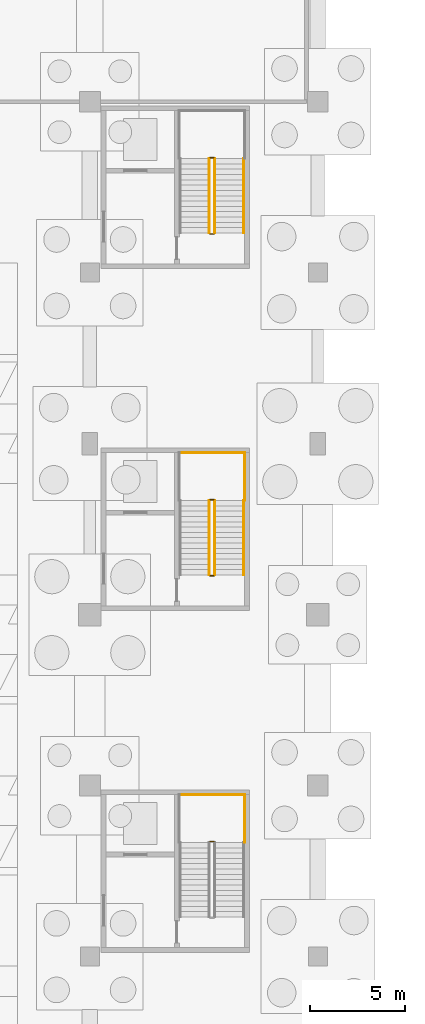
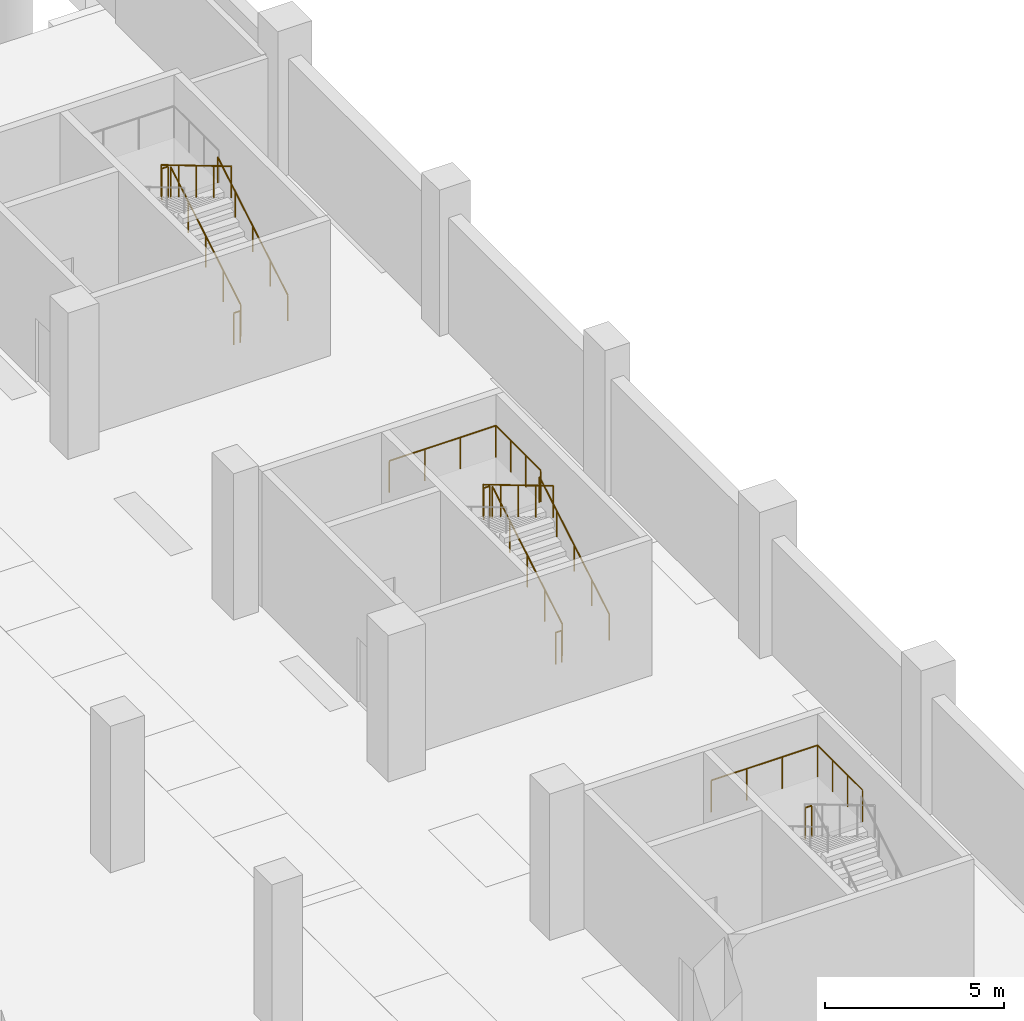
# One storey, part 35 of 37: 15 railings.
"""IFC4 building model written with IfcOpenShell, lengths in metres."""

from ifc_helpers import new_model, si_unit, direction, frame, origin, origin_2d, place, context, subcontext, project, spatial, circle, extrude, material, type_object, element, save


model = new_model("IFC4")

# Units and contexts
model_context = context("Model", 3, precision=1e-05, world=origin(), true_north=direction((0.0, 1.0)))
body_context = subcontext(model_context, "Body", "Model", "MODEL_VIEW")
ifc_project = project(units=[si_unit("LENGTHUNIT", "METRE"), si_unit("AREAUNIT", "SQUARE_METRE"), si_unit("VOLUMEUNIT", "CUBIC_METRE"), si_unit("PLANEANGLEUNIT", "RADIAN"), si_unit("MASSUNIT", "GRAM", prefix="KILO")], contexts=[model_context])

# Site, building, storey
site_placement = place(None, origin())
site = spatial("IfcSite", under=ifc_project, at=site_placement, CompositionType="ELEMENT")
building_placement = place(site_placement, origin())
building = spatial("IfcBuilding", under=site, at=building_placement, Name="Barlavento Convention Centre", CompositionType="ELEMENT")
storey_placement = place(building_placement, frame((0.0, 0.0, -5.0)))
storey = spatial("IfcBuildingStorey", under=building, at=storey_placement, Name="B1", CompositionType="ELEMENT", Elevation=-5.0)

# Railings
ifc_material_1 = material(Name="Stainless steel and laminated glass balustrade", Category="steel")
railing_type_1 = type_object("IfcRailingType", Name="ARC-RAL-BAL-1100", PredefinedType="BALUSTRADE", material=ifc_material_1)
railing_1_placement = place(storey_placement, frame((186.530029296875, 60.06005859375, 2.5)))
element("IfcRailing", 1, at=railing_1_placement, inside=storey, type_object=railing_type_1, Name="B1 ST05 stair guard 2", PredefinedType="BALUSTRADE", context=body_context, shape_type="SweptSolid", body=[
    extrude(circle(Radius=0.02392578125, at=origin_2d()), frame((0.0, 0.0, 1.076171875), z_axis=(-1.0, 0.0, 0.0), x_axis=(0.0, -1.0, 0.0)), (0.0, 0.0, 1.0), 0.199951171875),
    extrude(circle(Radius=0.02099609375, at=origin_2d()), origin(), (0.0, 0.0, 1.0), 1.052001953125),
    extrude(circle(Radius=0.02099609375, at=origin_2d()), frame((-0.199951171875, 0.0, 0.0)), (0.0, 0.0, 1.0), 1.052001953125),
])
railing_2_placement = place(storey_placement, frame((188.14990234375, 60.010009765625, 2.5)))
element("IfcRailing", 2, at=railing_2_placement, inside=storey, type_object=railing_type_1, Name="B1 landing guard GR01", PredefinedType="BALUSTRADE", context=body_context, shape_type="SweptSolid", body=[
    extrude(circle(Radius=0.02392578125, at=origin_2d()), frame((0.0, 0.0, 1.076171875), z_axis=(0.0, 1.0, 0.0), x_axis=(-1.0, 0.0, 0.0)), (0.0, 0.0, 1.0), 2.52001953125),
    extrude(circle(Radius=0.02099609375, at=origin_2d()), origin(), (0.0, 0.0, 1.0), 1.052001953125),
    extrude(circle(Radius=0.02099609375, at=origin_2d()), frame((0.0, 0.840087890625, 0.0)), (0.0, 0.0, 1.0), 1.052001953125),
    extrude(circle(Radius=0.02099609375, at=origin_2d()), frame((0.0, 1.679931640625, 0.0)), (0.0, 0.0, 1.0), 1.052001953125),
    extrude(circle(Radius=0.02099609375, at=origin_2d()), frame((0.0, 2.52001953125, 0.0)), (0.0, 0.0, 1.0), 1.052001953125),
])
railing_3_placement = place(storey_placement, frame((188.14990234375, 62.530029296875, 2.5)))
element("IfcRailing", 3, at=railing_3_placement, inside=storey, type_object=railing_type_1, Name="B1 landing guard GR01", PredefinedType="BALUSTRADE", context=body_context, shape_type="SweptSolid", body=[
    extrude(circle(Radius=0.02392578125, at=origin_2d()), frame((0.0, 0.0, 1.076171875), z_axis=(-1.0, 0.0, 0.0), x_axis=(0.0, -1.0, 0.0)), (0.0, 0.0, 1.0), 3.43994140625),
    extrude(circle(Radius=0.02099609375, at=origin_2d()), origin(), (0.0, 0.0, 1.0), 1.052001953125),
    extrude(circle(Radius=0.02099609375, at=origin_2d()), frame((-1.146728515625, 0.0, 0.0)), (0.0, 0.0, 1.0), 1.052001953125),
    extrude(circle(Radius=0.02099609375, at=origin_2d()), frame((-2.293212890625, 0.0, 0.0)), (0.0, 0.0, 1.0), 1.052001953125),
    extrude(circle(Radius=0.02099609375, at=origin_2d()), frame((-3.43994140625, 0.0, 0.0)), (0.0, 0.0, 1.0), 1.052001953125),
])
railing_4_placement = place(storey_placement, frame((186.580078125, 74.090087890625, 0.166748046875)))
element("IfcRailing", 4, at=railing_4_placement, inside=storey, type_object=railing_type_1, Name="B1 ST07 stair guard 1", PredefinedType="BALUSTRADE", context=body_context, shape_type="SweptSolid", body=[
    extrude(circle(Radius=0.02392578125, at=origin_2d()), frame((0.0, 0.0, 1.076171875), z_axis=(0.0, 0.859296244711, 0.511478214419), x_axis=(-1.0, 0.0, 0.0)), (0.0, 0.0, 1.0), 4.561767578125),
    extrude(circle(Radius=0.02099609375, at=origin_2d()), origin(), (0.0, 0.0, 1.0), 1.052001953125),
    extrude(circle(Radius=0.02099609375, at=origin_2d()), frame((0.0, 0.97998046875, 0.583251953125)), (0.0, 0.0, 1.0), 1.052001953125),
    extrude(circle(Radius=0.02099609375, at=origin_2d()), frame((0.0, 1.9599609375, 1.16650390625)), (0.0, 0.0, 1.0), 1.052001953125),
    extrude(circle(Radius=0.02099609375, at=origin_2d()), frame((0.0, 2.93994140625, 1.75)), (0.0, 0.0, 1.0), 1.052001953125),
    extrude(circle(Radius=0.02099609375, at=origin_2d()), frame((0.0, 3.919921875, 2.333251953125)), (0.0, 0.0, 1.0), 1.052001953125),
])
railing_5_placement = place(storey_placement, frame((186.530029296875, 78.06005859375, 2.5)))
element("IfcRailing", 5, at=railing_5_placement, inside=storey, type_object=railing_type_1, Name="B1 ST07 stair guard 2", PredefinedType="BALUSTRADE", context=body_context, shape_type="SweptSolid", body=[
    extrude(circle(Radius=0.02392578125, at=origin_2d()), frame((0.0, 0.0, 1.076171875), z_axis=(-1.0, 0.0, 0.0), x_axis=(0.0, -1.0, 0.0)), (0.0, 0.0, 1.0), 0.199951171875),
    extrude(circle(Radius=0.02099609375, at=origin_2d()), origin(), (0.0, 0.0, 1.0), 1.052001953125),
    extrude(circle(Radius=0.02099609375, at=origin_2d()), frame((-0.199951171875, 0.0, 0.0)), (0.0, 0.0, 1.0), 1.052001953125),
])
railing_6_placement = place(storey_placement, frame((186.280029296875, 78.010009765625, 2.666748046875)))
element("IfcRailing", 6, at=railing_6_placement, inside=storey, type_object=railing_type_1, Name="B1 ST07 stair guard 3", PredefinedType="BALUSTRADE", context=body_context, shape_type="SweptSolid", body=[
    extrude(circle(Radius=0.02392578125, at=origin_2d()), frame((0.0, 0.0, 1.076171875), z_axis=(0.0, -0.859296244711, 0.511478214419), x_axis=(1.0, 0.0, 0.0)), (0.0, 0.0, 1.0), 4.561767578125),
    extrude(circle(Radius=0.02099609375, at=origin_2d()), origin(), (0.0, 0.0, 1.0), 1.052001953125),
    extrude(circle(Radius=0.02099609375, at=origin_2d()), frame((0.0, -0.97998046875, 0.583251953125)), (0.0, 0.0, 1.0), 1.052001953125),
    extrude(circle(Radius=0.02099609375, at=origin_2d()), frame((0.0, -1.9599609375, 1.16650390625)), (0.0, 0.0, 1.0), 1.052001953125),
    extrude(circle(Radius=0.02099609375, at=origin_2d()), frame((0.0, -2.93994140625, 1.75)), (0.0, 0.0, 1.0), 1.052001953125),
    extrude(circle(Radius=0.02099609375, at=origin_2d()), frame((0.0, -3.919921875, 2.333251953125)), (0.0, 0.0, 1.0), 1.052001953125),
])
railing_7_placement = place(storey_placement, frame((186.530029296875, 74.0400390625, 0.0)))
element("IfcRailing", 7, at=railing_7_placement, inside=storey, type_object=railing_type_1, Name="B1 ST07 stair guard 4", PredefinedType="BALUSTRADE", context=body_context, shape_type="SweptSolid", body=[
    extrude(circle(Radius=0.02392578125, at=origin_2d()), frame((0.0, 0.0, 1.076171875), z_axis=(-1.0, 0.0, 0.0), x_axis=(0.0, -1.0, 0.0)), (0.0, 0.0, 1.0), 0.199951171875),
    extrude(circle(Radius=0.02099609375, at=origin_2d()), origin(), (0.0, 0.0, 1.0), 1.052001953125),
    extrude(circle(Radius=0.02099609375, at=origin_2d()), frame((-0.199951171875, 0.0, 0.0)), (0.0, 0.0, 1.0), 1.052001953125),
])
railing_8_placement = place(storey_placement, frame((188.14990234375, 78.010009765625, 2.5)))
element("IfcRailing", 8, at=railing_8_placement, inside=storey, type_object=railing_type_1, Name="B1 landing guard GR01", PredefinedType="BALUSTRADE", context=body_context, shape_type="SweptSolid", body=[
    extrude(circle(Radius=0.02392578125, at=origin_2d()), frame((0.0, 0.0, 1.076171875), z_axis=(0.0, 1.0, 0.0), x_axis=(-1.0, 0.0, 0.0)), (0.0, 0.0, 1.0), 2.52001953125),
    extrude(circle(Radius=0.02099609375, at=origin_2d()), origin(), (0.0, 0.0, 1.0), 1.052001953125),
    extrude(circle(Radius=0.02099609375, at=origin_2d()), frame((0.0, 0.840087890625, 0.0)), (0.0, 0.0, 1.0), 1.052001953125),
    extrude(circle(Radius=0.02099609375, at=origin_2d()), frame((0.0, 1.679931640625, 0.0)), (0.0, 0.0, 1.0), 1.052001953125),
    extrude(circle(Radius=0.02099609375, at=origin_2d()), frame((0.0, 2.52001953125, 0.0)), (0.0, 0.0, 1.0), 1.052001953125),
])
railing_9_placement = place(storey_placement, frame((188.14990234375, 80.530029296875, 2.5)))
element("IfcRailing", 9, at=railing_9_placement, inside=storey, type_object=railing_type_1, Name="B1 landing guard GR01", PredefinedType="BALUSTRADE", context=body_context, shape_type="SweptSolid", body=[
    extrude(circle(Radius=0.02392578125, at=origin_2d()), frame((0.0, 0.0, 1.076171875), z_axis=(-1.0, 0.0, 0.0), x_axis=(0.0, -1.0, 0.0)), (0.0, 0.0, 1.0), 3.43994140625),
    extrude(circle(Radius=0.02099609375, at=origin_2d()), origin(), (0.0, 0.0, 1.0), 1.052001953125),
    extrude(circle(Radius=0.02099609375, at=origin_2d()), frame((-1.146728515625, 0.0, 0.0)), (0.0, 0.0, 1.0), 1.052001953125),
    extrude(circle(Radius=0.02099609375, at=origin_2d()), frame((-2.293212890625, 0.0, 0.0)), (0.0, 0.0, 1.0), 1.052001953125),
    extrude(circle(Radius=0.02099609375, at=origin_2d()), frame((-3.43994140625, 0.0, 0.0)), (0.0, 0.0, 1.0), 1.052001953125),
])
railing_10_placement = place(storey_placement, frame((186.580078125, 92.090087890625, 0.166748046875)))
element("IfcRailing", 10, at=railing_10_placement, inside=storey, type_object=railing_type_1, Name="B1 ST08 stair guard 1", PredefinedType="BALUSTRADE", context=body_context, shape_type="SweptSolid", body=[
    extrude(circle(Radius=0.02392578125, at=origin_2d()), frame((0.0, 0.0, 1.076171875), z_axis=(0.0, 0.859296244711, 0.511478214419), x_axis=(-1.0, 0.0, 0.0)), (0.0, 0.0, 1.0), 4.561767578125),
    extrude(circle(Radius=0.02099609375, at=origin_2d()), origin(), (0.0, 0.0, 1.0), 1.052001953125),
    extrude(circle(Radius=0.02099609375, at=origin_2d()), frame((0.0, 0.97998046875, 0.583251953125)), (0.0, 0.0, 1.0), 1.052001953125),
    extrude(circle(Radius=0.02099609375, at=origin_2d()), frame((0.0, 1.9599609375, 1.16650390625)), (0.0, 0.0, 1.0), 1.052001953125),
    extrude(circle(Radius=0.02099609375, at=origin_2d()), frame((0.0, 2.93994140625, 1.75)), (0.0, 0.0, 1.0), 1.052001953125),
    extrude(circle(Radius=0.02099609375, at=origin_2d()), frame((0.0, 3.919921875, 2.333251953125)), (0.0, 0.0, 1.0), 1.052001953125),
])
railing_11_placement = place(storey_placement, frame((186.530029296875, 96.06005859375, 2.5)))
element("IfcRailing", 11, at=railing_11_placement, inside=storey, type_object=railing_type_1, Name="B1 ST08 stair guard 2", PredefinedType="BALUSTRADE", context=body_context, shape_type="SweptSolid", body=[
    extrude(circle(Radius=0.02392578125, at=origin_2d()), frame((0.0, 0.0, 1.076171875), z_axis=(-1.0, 0.0, 0.0), x_axis=(0.0, -1.0, 0.0)), (0.0, 0.0, 1.0), 0.199951171875),
    extrude(circle(Radius=0.02099609375, at=origin_2d()), origin(), (0.0, 0.0, 1.0), 1.052001953125),
    extrude(circle(Radius=0.02099609375, at=origin_2d()), frame((-0.199951171875, 0.0, 0.0)), (0.0, 0.0, 1.0), 1.052001953125),
])
railing_12_placement = place(storey_placement, frame((186.280029296875, 96.010009765625, 2.666748046875)))
element("IfcRailing", 12, at=railing_12_placement, inside=storey, type_object=railing_type_1, Name="B1 ST08 stair guard 3", PredefinedType="BALUSTRADE", context=body_context, shape_type="SweptSolid", body=[
    extrude(circle(Radius=0.02392578125, at=origin_2d()), frame((0.0, 0.0, 1.076171875), z_axis=(0.0, -0.859296244711, 0.511478214419), x_axis=(1.0, 0.0, 0.0)), (0.0, 0.0, 1.0), 4.561767578125),
    extrude(circle(Radius=0.02099609375, at=origin_2d()), origin(), (0.0, 0.0, 1.0), 1.052001953125),
    extrude(circle(Radius=0.02099609375, at=origin_2d()), frame((0.0, -0.97998046875, 0.583251953125)), (0.0, 0.0, 1.0), 1.052001953125),
    extrude(circle(Radius=0.02099609375, at=origin_2d()), frame((0.0, -1.9599609375, 1.16650390625)), (0.0, 0.0, 1.0), 1.052001953125),
    extrude(circle(Radius=0.02099609375, at=origin_2d()), frame((0.0, -2.93994140625, 1.75)), (0.0, 0.0, 1.0), 1.052001953125),
    extrude(circle(Radius=0.02099609375, at=origin_2d()), frame((0.0, -3.919921875, 2.333251953125)), (0.0, 0.0, 1.0), 1.052001953125),
])
railing_13_placement = place(storey_placement, frame((186.530029296875, 92.0400390625, 0.0)))
element("IfcRailing", 13, at=railing_13_placement, inside=storey, type_object=railing_type_1, Name="B1 ST08 stair guard 4", PredefinedType="BALUSTRADE", context=body_context, shape_type="SweptSolid", body=[
    extrude(circle(Radius=0.02392578125, at=origin_2d()), frame((0.0, 0.0, 1.076171875), z_axis=(-1.0, 0.0, 0.0), x_axis=(0.0, -1.0, 0.0)), (0.0, 0.0, 1.0), 0.199951171875),
    extrude(circle(Radius=0.02099609375, at=origin_2d()), origin(), (0.0, 0.0, 1.0), 1.052001953125),
    extrude(circle(Radius=0.02099609375, at=origin_2d()), frame((-0.199951171875, 0.0, 0.0)), (0.0, 0.0, 1.0), 1.052001953125),
])
ifc_material_2 = material(Name="Brushed stainless steel tubular handrail", Category="steel")
railing_type_2 = type_object("IfcRailingType", Name="ARC-RAL-HR-900", PredefinedType="HANDRAIL", material=ifc_material_2)
for number, where, name in (
    (14, (188.10009765625, 74.090087890625, 0.166748046875), "B1 ST07 stair handrail 1"),
    (15, (188.10009765625, 92.090087890625, 0.166748046875), "B1 ST08 stair handrail 1"),
):
    element("IfcRailing", number, at=place(storey_placement, frame(where)), inside=storey, type_object=railing_type_2, Name=name, PredefinedType="HANDRAIL", context=body_context, shape_type="SweptSolid", body=[
        extrude(circle(Radius=0.02392578125, at=origin_2d()), frame((0.0, 0.0, 0.8759765625), z_axis=(0.0, 0.859296244711, 0.511478214419), x_axis=(-1.0, 0.0, 0.0)), (0.0, 0.0, 1.0), 4.561767578125),
        extrude(circle(Radius=0.02099609375, at=origin_2d()), origin(), (0.0, 0.0, 1.0), 0.851806640625),
        extrude(circle(Radius=0.02099609375, at=origin_2d()), frame((0.0, 0.97998046875, 0.583251953125)), (0.0, 0.0, 1.0), 0.851806640625),
        extrude(circle(Radius=0.02099609375, at=origin_2d()), frame((0.0, 1.9599609375, 1.16650390625)), (0.0, 0.0, 1.0), 0.851806640625),
        extrude(circle(Radius=0.02099609375, at=origin_2d()), frame((0.0, 2.93994140625, 1.75)), (0.0, 0.0, 1.0), 0.851806640625),
        extrude(circle(Radius=0.02099609375, at=origin_2d()), frame((0.0, 3.919921875, 2.333251953125)), (0.0, 0.0, 1.0), 0.851806640625),
    ])

save(model, "model.ifc")
